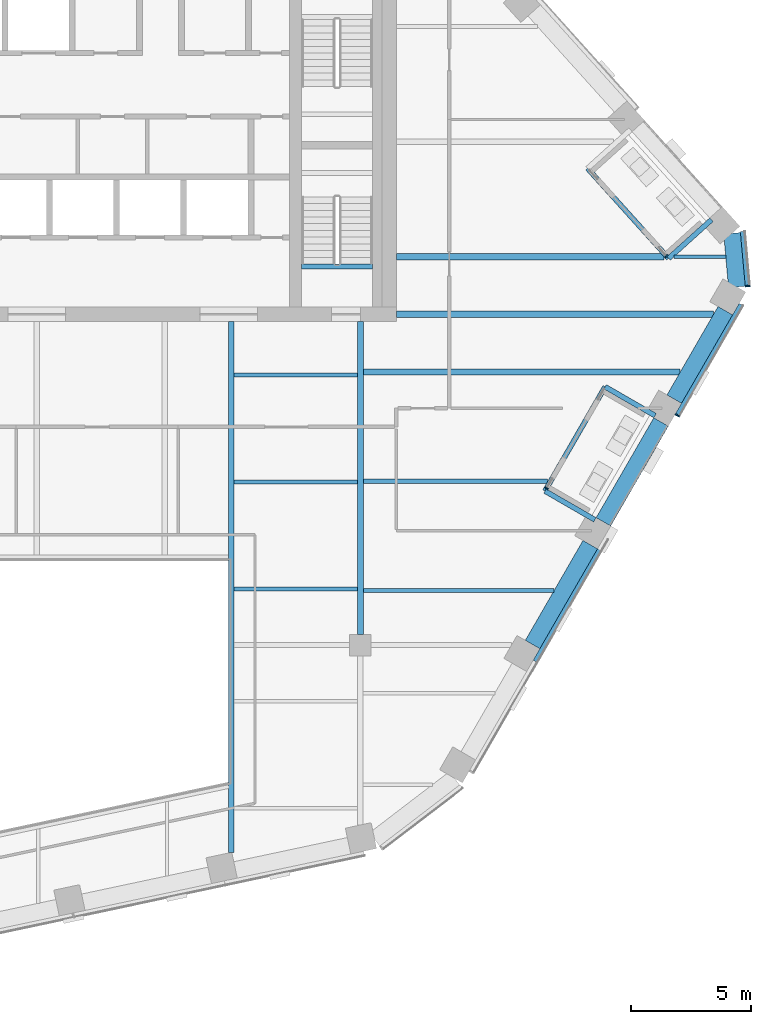
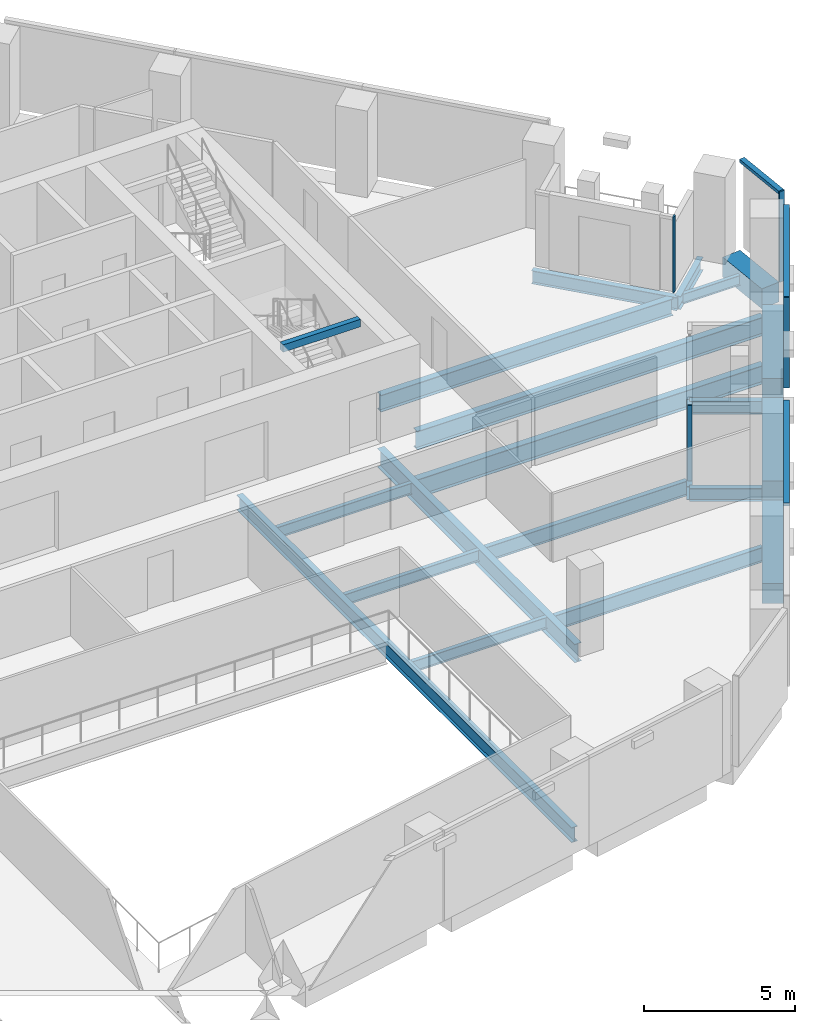
# One storey, part 6 of 25: 21 beams, 7 members, 4 elements without a shape of their own.
"""IFC4 building model written with IfcOpenShell, lengths in metres."""

import ifcopenshell
import ifcopenshell.guid

model = None  # the IFC model being written
_history = None  # IfcOwnerHistory: only IFC2X3 demands one
_inside = {}  # id of a spatial element -> (the spatial element, [elements in it])
_under = {}  # id of a project, library or spatial element -> (it, [spatial elements below it])
_declared = {}  # id of a project -> (the project, [libraries it declares])
_typed = {}  # id of a type object -> (the type object, [elements of that type])
_made_of = {}  # id of a material, layer set ... -> (it, [elements and type objects made of it])


def new_model(schema):
    """Start an empty IFC model of exactly this schema.

    Asked for "IFC4X3", IfcOpenShell would pick the latest addendum, in which some entities
    have other attributes; the version numbers below select the first issue.
    IFC2X3 requires an IfcOwnerHistory on every rooted entity: one is made here for all.
    """
    global model, _history
    if schema == "IFC4X3":
        model = ifcopenshell.file(schema_version=(4, 3, 0, 0))
    else:
        model = ifcopenshell.file(schema=schema)
    _inside.clear()
    _under.clear()
    _declared.clear()
    _typed.clear()
    _made_of.clear()
    _history = None
    if model.schema == "IFC2X3":
        org = make("IfcOrganization", Name="unknown")
        user = make(
            "IfcPersonAndOrganization",
            ThePerson=make("IfcPerson", FamilyName="unknown"),
            TheOrganization=org,
        )
        app = make(
            "IfcApplication",
            ApplicationDeveloper=org,
            Version="unknown",
            ApplicationFullName="unknown",
            ApplicationIdentifier="unknown",
        )
        _history = make(
            "IfcOwnerHistory",
            OwningUser=user,
            OwningApplication=app,
            ChangeAction="ADDED",
            CreationDate=0,
        )
    return model


def make(cls, **values):
    """One entity of the class cls with the attributes given. An attribute that is None is left unset."""
    return model.create_entity(
        cls, **{name: value for name, value in values.items() if value is not None}
    )


def rooted(cls, **values):
    """An entity with a GlobalId (a new one), such as an element, a storey or a relation."""
    return make(cls, GlobalId=ifcopenshell.guid.new(), OwnerHistory=_history, **values)


def si_unit(unit_type, name, prefix=None):
    """IfcSIUnit, for example si_unit("LENGTHUNIT", "METRE", prefix="MILLI")."""
    return make("IfcSIUnit", UnitType=unit_type, Prefix=prefix, Name=name)


def assignment(units):
    """IfcUnitAssignment: the units of a project."""
    return None if units is None else make("IfcUnitAssignment", Units=units)


def point(xyz):
    """IfcCartesianPoint."""
    return None if xyz is None else make("IfcCartesianPoint", Coordinates=xyz)


def direction(xyz):
    """IfcDirection."""
    return None if xyz is None else make("IfcDirection", DirectionRatios=xyz)


def frame(location, z_axis=None, x_axis=None):
    """IfcAxis2Placement3D, a coordinate frame: its origin and axes. An axis left out is left unset."""
    return make(
        "IfcAxis2Placement3D",
        Location=point(location),
        Axis=direction(z_axis),
        RefDirection=direction(x_axis),
    )


def frame_2d(location, x_axis=None):
    """IfcAxis2Placement2D, a coordinate frame in the plane: its origin and x axis."""
    return make(
        "IfcAxis2Placement2D", Location=point(location), RefDirection=direction(x_axis)
    )


def origin():
    """The frame at (0, 0, 0) with its axes left unset."""
    return frame((0.0, 0.0, 0.0))


def origin_2d():
    """The frame at (0, 0) in the plane with its x axis left unset."""
    return frame_2d((0.0, 0.0))


def place(relative_to, where):
    """IfcLocalPlacement: puts the frame where relative to a parent placement (None: the world)."""
    return make(
        "IfcLocalPlacement", PlacementRelTo=relative_to, RelativePlacement=where
    )


def context(
    kind, dimensions, precision=None, world=None, true_north=None, identifier=None
):
    """IfcGeometricRepresentationContext, for example the 3D "Model" context."""
    return make(
        "IfcGeometricRepresentationContext",
        ContextIdentifier=identifier,
        ContextType=kind,
        CoordinateSpaceDimension=dimensions,
        Precision=precision,
        WorldCoordinateSystem=world,
        TrueNorth=true_north,
    )


def subcontext(parent, identifier, kind, view, scale=None):
    """IfcGeometricRepresentationSubContext, for example "Body" below "Model"."""
    return make(
        "IfcGeometricRepresentationSubContext",
        ContextIdentifier=identifier,
        ContextType=kind,
        ParentContext=parent,
        TargetScale=scale,
        TargetView=view,
    )


def project(units=None, contexts=None):
    """IfcProject with its units and contexts."""
    return rooted(
        "IfcProject",
        Name="project",
        RepresentationContexts=contexts,
        UnitsInContext=assignment(units),
    )


def spatial(cls, under=None, at=None, **own):
    """A site, building, storey or space (cls), placed at a placement, below another one or the project."""
    s = rooted(cls, ObjectPlacement=at, **own)
    if under is not None:
        _under.setdefault(under.id(), (under, []))[1].append(s)
    return s


def profile(cls, at=None, kind="AREA", **sizes):
    """A parametric profile (cls). Its sizes go by their IFC names, for example OverallWidth=200.0."""
    return make(cls, ProfileType=kind, Position=at, **sizes)


def rectangle(**sizes):
    """IfcRectangleProfileDef."""
    return profile("IfcRectangleProfileDef", **sizes)


def i_section(**sizes):
    """IfcIShapeProfileDef."""
    return profile("IfcIShapeProfileDef", **sizes)


def extrude(swept, where, along, depth):
    """IfcExtrudedAreaSolid: the profile swept, set in the frame where, extruded along a direction by depth."""
    return make(
        "IfcExtrudedAreaSolid",
        SweptArea=swept,
        Position=where,
        ExtrudedDirection=direction(along),
        Depth=depth,
    )


def shape(context_of_items, identifier, shape_type, items):
    """IfcShapeRepresentation: the items that make up one representation, for example the "Body"."""
    return make(
        "IfcShapeRepresentation",
        ContextOfItems=context_of_items,
        RepresentationIdentifier=identifier,
        RepresentationType=shape_type,
        Items=items,
    )


def material(Name=None, Category=None):
    """IfcMaterial."""
    return make("IfcMaterial", Name=Name, Category=Category)


def layer(
    of_material, thickness, ventilated=None, Name=None, Category=None, Priority=None
):
    """IfcMaterialLayer: one layer of a wall or slab, of a material (None: an air gap)."""
    return make(
        "IfcMaterialLayer",
        Material=of_material,
        LayerThickness=thickness,
        IsVentilated=ventilated,
        Name=Name,
        Category=Category,
        Priority=Priority,
    )


def layer_set(layers, Name=None):
    """IfcMaterialLayerSet."""
    return make("IfcMaterialLayerSet", MaterialLayers=layers, LayerSetName=Name)


def material_profile(
    of_material, cross_section, Name=None, Category=None, Priority=None
):
    """IfcMaterialProfile: a cross section and its material."""
    return make(
        "IfcMaterialProfile",
        Name=Name,
        Material=of_material,
        Profile=cross_section,
        Priority=Priority,
        Category=Category,
    )


def profile_set(profiles, Name=None, composite=None):
    """IfcMaterialProfileSet."""
    return make(
        "IfcMaterialProfileSet",
        Name=Name,
        MaterialProfiles=profiles,
        CompositeProfile=composite,
    )


def made_of(thing, what):
    """Note that an element or type object is made of a material, layer set ...; save() writes the relation."""
    if what is not None:
        _made_of.setdefault(what.id(), (what, []))[1].append(thing)
    return thing


def type_object(cls, material=None, **own):
    """A type object (cls), such as IfcWallType, which elements share."""
    return made_of(rooted(cls, **own), material)


def element(
    cls,
    number,
    at=None,
    inside=None,
    cuts=None,
    type_object=None,
    material=None,
    context=None,
    identifier="Body",
    shape_type=None,
    held_by="IfcProductDefinitionShape",
    body=None,
    shapes=None,
    **own,
):
    """One element of the class cls, such as IfcWall. Its Tag is "e" and its number.

    at: its placement. inside: the storey or other place that contains it. cuts: it is an
    opening in that element (IfcRelVoidsElement). A single representation is given by context,
    identifier, shape_type and body (its items); several are given by shapes. held_by: the class
    of the entity that holds the representations. save() writes the other relations.
    """
    e = rooted(cls, Tag="e%d" % number, ObjectPlacement=at, **own)
    if body is not None:
        shapes = [shape(context, identifier, shape_type, body)]
    if shapes is not None:
        e.Representation = make(held_by, Representations=shapes)
    if inside is not None:
        _inside.setdefault(inside.id(), (inside, []))[1].append(e)
    if cuts is not None:
        rooted(
            "IfcRelVoidsElement", RelatingBuildingElement=cuts, RelatedOpeningElement=e
        )
    if type_object is not None:
        _typed.setdefault(type_object.id(), (type_object, []))[1].append(e)
    return made_of(e, material)


def aggregate(whole, parts):
    """IfcRelAggregates: a whole, such as a stair, and the parts it consists of."""
    return rooted("IfcRelAggregates", RelatingObject=whole, RelatedObjects=parts)


def save(model, path):
    """Write the relations noted so far, then the file.

    IfcRelAggregates (storeys below a building ...), IfcRelContainedInSpatialStructure (elements
    in a storey), IfcRelDefinesByType, IfcRelAssociatesMaterial and IfcRelDeclares: one each for
    every whole, place, type object, material and project.
    """
    for whole, parts in _under.values():
        aggregate(whole, parts)
    for where, things in _inside.values():
        rooted(
            "IfcRelContainedInSpatialStructure",
            RelatedElements=things,
            RelatingStructure=where,
        )
    for kind, things in _typed.values():
        rooted("IfcRelDefinesByType", RelatedObjects=things, RelatingType=kind)
    for what, things in _made_of.values():
        rooted("IfcRelAssociatesMaterial", RelatedObjects=things, RelatingMaterial=what)
    for by, libraries in _declared.values():
        rooted("IfcRelDeclares", RelatingContext=by, RelatedDefinitions=libraries)
    model.write(path)


model = new_model("IFC4")

# Units and contexts
model_context = context("Model", 3, precision=1e-05, world=origin(), true_north=direction((0.0, 1.0)))
body_context = subcontext(model_context, "Body", "Model", "MODEL_VIEW")
ifc_project = project(units=[si_unit("LENGTHUNIT", "METRE"), si_unit("AREAUNIT", "SQUARE_METRE"), si_unit("VOLUMEUNIT", "CUBIC_METRE"), si_unit("PLANEANGLEUNIT", "RADIAN"), si_unit("MASSUNIT", "GRAM", prefix="KILO")], contexts=[model_context])

# Site, building, storey
site_placement = place(None, origin())
site = spatial("IfcSite", under=ifc_project, at=site_placement, CompositionType="ELEMENT")
building_placement = place(site_placement, origin())
building = spatial("IfcBuilding", under=site, at=building_placement, Name="Isthmus Gate Tower", CompositionType="ELEMENT")
storey_placement = place(building_placement, frame((0.0, 0.0, 249.14990234375)))
storey = spatial("IfcBuildingStorey", under=building, at=storey_placement, Name="L63", CompositionType="ELEMENT", Elevation=249.14990234375)

# Curtain wall, member
ifc_material_1 = material(Name="Aluminium, pale champagne anodised", Category="aluminium")
ifc_layer_1 = layer(ifc_material_1, 0.199951171875)
ifc_layer_set_1 = layer_set([ifc_layer_1], Name="CW-1 UNITISED CURTAIN WALL 200 DEEP")
curtain_wall_type_1 = type_object("IfcCurtainWallType", Name="CW-1 UNITISED CURTAIN WALL 200 DEEP", PredefinedType="NOTDEFINED", material=ifc_layer_set_1)
curtain_wall_1_placement = place(storey_placement, origin())
curtain_wall_1 = element("IfcCurtainWall", 1, at=curtain_wall_1_placement, inside=storey, type_object=curtain_wall_type_1, Name="CW-1 SE L63", PredefinedType="NOTDEFINED")
ifc_material_2 = material(Name="Aluminium, pale champagne anodised", Category="aluminium")
ifc_material_profile_1 = material_profile(ifc_material_2, rectangle(XDim=0.06005859375, YDim=0.199951171875, at=origin_2d()), Name="60x200")
ifc_profile_set_1 = profile_set([ifc_material_profile_1], Name="Aluminium, pale champagne anodised")
member_type_1 = type_object("IfcMemberType", Name="CW-1 MULLION 60 X 200", PredefinedType="MULLION", material=ifc_profile_set_1)
member_1_placement = place(storey_placement, frame((26.72265625, -3.9150390625, 0.0), z_axis=(0.0, 0.0, 1.0), x_axis=(0.5, 0.866025403784, 0.0)))
member_1 = element("IfcMember", 2, at=member_1_placement, type_object=member_type_1, Name="CW-1 mullion", PredefinedType="MULLION", context=body_context, shape_type="SweptSolid", body=[
    extrude(rectangle(XDim=0.06005859375, YDim=0.199951171875, at=origin_2d()), origin(), (0.0, 0.0, 1.0), 3.650146484375),
])

curtain_wall_2_placement = place(storey_placement, origin())
curtain_wall_2 = element("IfcCurtainWall", 3, at=curtain_wall_2_placement, inside=storey, type_object=curtain_wall_type_1, Name="CW-1 SE-NE L63", PredefinedType="NOTDEFINED")
member_2_placement = place(storey_placement, frame((29.654296875, 1.4765625, 0.0), z_axis=(0.0, 0.0, 1.0), x_axis=(-0.089396669717, 0.995996102123, 0.0)))
member_2 = element("IfcMember", 4, at=member_2_placement, type_object=member_type_1, Name="CW-1 mullion", PredefinedType="MULLION", context=body_context, shape_type="SweptSolid", body=[
    extrude(rectangle(XDim=0.06005859375, YDim=0.199951171875, at=origin_2d()), origin(), (0.0, 0.0, 1.0), 3.650146484375),
])

# Member
ifc_material_3 = material(Name="Aluminium, pale champagne anodised", Category="aluminium")
ifc_material_profile_2 = material_profile(ifc_material_3, rectangle(XDim=0.199951171875, YDim=0.1298828125, at=origin_2d()), Name="200x130")
ifc_profile_set_2 = profile_set([ifc_material_profile_2], Name="Aluminium, pale champagne anodised")
member_type_2 = type_object("IfcMemberType", Name="CW-1 TRANSOM 200 X 130", PredefinedType="USERDEFINED", material=ifc_profile_set_2)
member_3_placement = place(storey_placement, frame((20.796875, -14.178466796875, 3.585205078125), z_axis=(0.500008496284, 0.866020498397, 0.0), x_axis=(-0.866020498397, 0.500008496284, 0.0)))
member_3 = element("IfcMember", 5, at=member_3_placement, type_object=member_type_2, Name="CW-1 transom", ObjectType="TRANSOM", PredefinedType="USERDEFINED", context=body_context, shape_type="SweptSolid", body=[
    extrude(rectangle(XDim=0.199951171875, YDim=0.1298828125, at=origin_2d()), origin(), (0.0, 0.0, 1.0), 5.91064453125),
])

member_4_placement = place(storey_placement, frame((26.737548828125, -3.88916015625, 3.585205078125), z_axis=(0.500022807565, 0.86601223543, 0.0), x_axis=(-0.86601223543, 0.500022807565, 0.0)))
member_4 = element("IfcMember", 6, at=member_4_placement, type_object=member_type_2, Name="CW-1 transom", ObjectType="TRANSOM", PredefinedType="USERDEFINED", context=body_context, shape_type="SweptSolid", body=[
    extrude(rectangle(XDim=0.199951171875, YDim=0.1298828125, at=origin_2d()), origin(), (0.0, 0.0, 1.0), 5.300537109375),
])

aggregate(curtain_wall_1, [member_3, member_1, member_4])

member_5_placement = place(storey_placement, frame((29.651611328125, 1.506591796875, 3.585205078125), z_axis=(-0.089395362867, 0.995996219419, 0.0), x_axis=(-0.995996219419, -0.089395362867, 0.0)))
member_5 = element("IfcMember", 7, at=member_5_placement, type_object=member_type_2, Name="CW-1 transom", ObjectType="TRANSOM", PredefinedType="USERDEFINED", context=body_context, shape_type="SweptSolid", body=[
    extrude(rectangle(XDim=0.199951171875, YDim=0.1298828125, at=origin_2d()), origin(), (0.0, 0.0, 1.0), 2.258544921875),
])

aggregate(curtain_wall_2, [member_2, member_5])

# Curtain wall, member
ifc_material_4 = material(Name="Aluminium, pale champagne anodised", Category="aluminium")
ifc_layer_2 = layer(ifc_material_4, 0.14990234375)
ifc_layer_set_2 = layer_set([ifc_layer_2], Name="CW-6 LOGGIA BACK WALL GLAZING 150 DEEP")
curtain_wall_type_2 = type_object("IfcCurtainWallType", Name="CW-6 LOGGIA BACK WALL GLAZING 150 DEEP", PredefinedType="NOTDEFINED", material=ifc_layer_set_2)
curtain_wall_3_placement = place(storey_placement, origin())
curtain_wall_3 = element("IfcCurtainWall", 8, at=curtain_wall_3_placement, inside=storey, type_object=curtain_wall_type_2, Name="CW-6 SE L63", PredefinedType="NOTDEFINED")
ifc_material_5 = material(Name="Aluminium, pale champagne anodised", Category="aluminium")
ifc_material_profile_3 = material_profile(ifc_material_5, rectangle(XDim=0.06005859375, YDim=0.14990234375, at=origin_2d()), Name="60x150")
ifc_profile_set_3 = profile_set([ifc_material_profile_3], Name="Aluminium, pale champagne anodised")
member_type_3 = type_object("IfcMemberType", Name="CW-6 MULLION 60 X 150", PredefinedType="MULLION", material=ifc_profile_set_3)
member_6_placement = place(storey_placement, frame((21.27099609375, -6.95751953125, 0.0), z_axis=(0.0, 0.0, 1.0), x_axis=(0.5, 0.866025403784, 0.0)))
member_6 = element("IfcMember", 9, at=member_6_placement, type_object=member_type_3, Name="CW-6 mullion", PredefinedType="MULLION", context=body_context, shape_type="SweptSolid", body=[
    extrude(rectangle(XDim=0.06005859375, YDim=0.14990234375, at=origin_2d()), origin(), (0.0, 0.0, 1.0), 3.050048828125),
])
aggregate(curtain_wall_3, [member_6])

curtain_wall_4_placement = place(storey_placement, origin())
curtain_wall_4 = element("IfcCurtainWall", 10, at=curtain_wall_4_placement, inside=storey, type_object=curtain_wall_type_2, Name="CW-6 NE L63", PredefinedType="NOTDEFINED")
member_7_placement = place(storey_placement, frame((26.270263671875, 2.736572265625, 0.0), z_axis=(0.0, 0.0, 1.0), x_axis=(-0.669130606359, 0.743144825477, 0.0)))
member_7 = element("IfcMember", 11, at=member_7_placement, type_object=member_type_3, Name="CW-6 mullion", PredefinedType="MULLION", context=body_context, shape_type="SweptSolid", body=[
    extrude(rectangle(XDim=0.06005859375, YDim=0.14990234375, at=origin_2d()), origin(), (0.0, 0.0, 1.0), 3.050048828125),
])
aggregate(curtain_wall_4, [member_7])

# Beams
ifc_material_6 = material(Name="Concrete f'c 50 MPa", Category="concrete")
ifc_material_profile_4 = material_profile(ifc_material_6, rectangle(XDim=0.699951171875, YDim=0.800048828125, at=origin_2d()), Name="RC 700X800")
ifc_profile_set_4 = profile_set([ifc_material_profile_4], Name="Concrete f'c 50 MPa")
beam_type_1 = type_object("IfcBeamType", Name="RC SPANDREL 700 X 800", PredefinedType="SPANDREL", material=ifc_profile_set_4)
beam_1_placement = place(storey_placement, frame((29.0048828125, 3.678466796875, -0.39990234375), z_axis=(0.089359478208, -0.995999439585, 0.0), x_axis=(0.995999439585, 0.089359478208, 0.0)))
element("IfcBeam", 12, at=beam_1_placement, inside=storey, type_object=beam_type_1, Name="str-spandrel-L63-05", PredefinedType="SPANDREL", context=body_context, shape_type="SweptSolid", body=[
    extrude(rectangle(XDim=0.699951171875, YDim=0.800048828125, at=origin_2d()), origin(), (0.0, 0.0, 1.0), 2.245849609375),
])
beam_2_placement = place(storey_placement, frame((28.72314453125, 0.449951171875, -0.39990234375), z_axis=(-0.500021719575, -0.866012863619, 0.0), x_axis=(0.866012863619, -0.500021719575, 0.0)))
element("IfcBeam", 13, at=beam_2_placement, inside=storey, type_object=beam_type_1, Name="str-spandrel-L63-06", PredefinedType="SPANDREL", context=body_context, shape_type="SweptSolid", body=[
    extrude(rectangle(XDim=0.699951171875, YDim=0.800048828125, at=origin_2d()), origin(), (0.0, 0.0, 1.0), 4.260498046875),
])
for number, where, z_axis, x_axis, name in (
    (14, (26.04296875, -4.1923828125, -0.39990234375), (-0.500019702373, -0.866014028315, 0.0), (0.866014028315, -0.500019702373, 0.0), "str-spandrel-L63-07"),
    (15, (23.087646484375, -9.31103515625, -0.39990234375), (-0.49998164095, -0.866036003127, 0.0), (0.866036003127, -0.49998164095, 0.0), "str-spandrel-L63-08"),
):
    element("IfcBeam", number, at=place(storey_placement, frame(where, z_axis=z_axis, x_axis=x_axis)), inside=storey, type_object=beam_type_1, Name=name, PredefinedType="SPANDREL", context=body_context, shape_type="SweptSolid", body=[
        extrude(rectangle(XDim=0.699951171875, YDim=0.800048828125, at=origin_2d()), origin(), (0.0, 0.0, 1.0), 4.810791015625),
    ])
ifc_material_7 = material(Name="Concrete f'c 40 MPa", Category="concrete")
ifc_material_profile_5 = material_profile(ifc_material_7, rectangle(XDim=0.199951171875, YDim=0.300048828125, at=origin_2d()), Name="STAIR LANDING BEAM RC 200 X 300")
ifc_profile_set_5 = profile_set([ifc_material_profile_5], Name="Concrete f'c 40 MPa")
beam_type_2 = type_object("IfcBeamType", Name="STAIR LANDING BEAM RC 200 X 300", PredefinedType="BEAM", material=ifc_profile_set_5)
beam_3_placement = place(storey_placement, frame((11.050048828125, 2.2998046875, 3.35009765625), z_axis=(1.0, 0.0, 0.0), x_axis=(0.0, 1.0, 0.0)))
element("IfcBeam", 16, at=beam_3_placement, inside=storey, type_object=beam_type_2, Name="L63 ST8 floor-edge seat beam", PredefinedType="BEAM", context=body_context, shape_type="SweptSolid", body=[
    extrude(rectangle(XDim=0.199951171875, YDim=0.300048828125, at=origin_2d()), origin(), (0.0, 0.0, 1.0), 2.949951171875),
])
ifc_material_8 = material(Name="Structural steel ASTM A992 Gr 50", Category="steel")
ifc_material_profile_6 = material_profile(ifc_material_8, i_section(OverallWidth=0.1396484375, OverallDepth=0.4033203125, WebThickness=0.00634765625, FlangeThickness=0.010986328125, at=origin_2d()), Name="W16X31")
ifc_profile_set_6 = profile_set([ifc_material_profile_6], Name="Structural steel ASTM A992 Gr 50")
beam_type_3 = type_object("IfcBeamType", Name="STEEL FLOOR BEAM W16X31", PredefinedType="JOIST", material=ifc_profile_set_6)
beam_4_placement = place(storey_placement, frame((26.58740234375, 2.699951171875, -0.3515625), z_axis=(1.0, 0.0, 0.0), x_axis=(0.0, 1.0, 0.0)))
element("IfcBeam", 17, at=beam_4_placement, inside=storey, type_object=beam_type_3, Name="str-beam-L63-16-01", PredefinedType="JOIST", context=body_context, shape_type="SweptSolid", body=[
    extrude(i_section(OverallWidth=0.1396484375, OverallDepth=0.4033203125, WebThickness=0.00634765625, FlangeThickness=0.010986328125, at=origin_2d()), origin(), (0.0, 0.0, 1.0), 2.15380859375),
])
ifc_material_9 = material(Name="Structural steel ASTM A992 Gr 50", Category="steel")
ifc_material_profile_7 = material_profile(ifc_material_9, i_section(OverallWidth=0.15234375, OverallDepth=0.45068359375, WebThickness=0.0078125, FlangeThickness=0.010986328125, at=origin_2d()), Name="W18X35")
ifc_profile_set_7 = profile_set([ifc_material_profile_7], Name="Structural steel ASTM A992 Gr 50")
beam_type_4 = type_object("IfcBeamType", Name="STEEL FLOOR BEAM W18X35", PredefinedType="JOIST", material=ifc_profile_set_7)
for number, where, z_axis, x_axis, name in (
    (18, (8.228515625, -11.16259765625, -0.375244140625), (1.0, 0.0, 0.0), (0.0, 1.0, 0.0), "str-beam-L63-13-00"),
    (19, (8.228515625, -6.697509765625, -0.375244140625), (1.0, 0.0, 0.0), (0.0, 1.0, 0.0), "str-beam-L63-13-01"),
    (20, (8.228515625, -2.232421875, -0.375244140625), (1.0, 0.0, 0.0), (0.0, 1.0, 0.0), "str-beam-L63-13-02"),
):
    element("IfcBeam", number, at=place(storey_placement, frame(where, z_axis=z_axis, x_axis=x_axis)), inside=storey, type_object=beam_type_4, Name=name, PredefinedType="JOIST", context=body_context, shape_type="SweptSolid", body=[
        extrude(i_section(OverallWidth=0.15234375, OverallDepth=0.45068359375, WebThickness=0.0078125, FlangeThickness=0.010986328125, at=origin_2d()), origin(), (0.0, 0.0, 1.0), 5.1396484375),
    ])
ifc_material_10 = material(Name="Structural steel ASTM A992 Gr 50", Category="steel")
ifc_material_profile_8 = material_profile(ifc_material_10, i_section(OverallWidth=0.177734375, OverallDepth=0.60009765625, WebThickness=0.009521484375, FlangeThickness=0.0126953125, at=origin_2d()), Name="W24X55")
ifc_profile_set_8 = profile_set([ifc_material_profile_8], Name="Structural steel ASTM A992 Gr 50")
beam_type_5 = type_object("IfcBeamType", Name="STEEL FLOOR BEAM W24X55", PredefinedType="JOIST", material=ifc_profile_set_8)
beam_5_placement = place(storey_placement, frame((13.6318359375, -11.221923828125, -0.449951171875), z_axis=(1.0, 0.0, 0.0), x_axis=(0.0, 1.0, 0.0)))
element("IfcBeam", 21, at=beam_5_placement, inside=storey, type_object=beam_type_5, Name="str-beam-L63-15-00", PredefinedType="JOIST", context=body_context, shape_type="SweptSolid", body=[
    extrude(i_section(OverallWidth=0.177734375, OverallDepth=0.60009765625, WebThickness=0.009521484375, FlangeThickness=0.0126953125, at=origin_2d()), origin(), (0.0, 0.0, 1.0), 7.948486328125),
])
beam_6_placement = place(storey_placement, frame((13.6318359375, -6.665771484375, -0.449951171875), z_axis=(1.0, 0.0, 0.0), x_axis=(0.0, 1.0, 0.0)))
element("IfcBeam", 22, at=beam_6_placement, inside=storey, type_object=beam_type_5, Name="str-beam-L63-15-01", PredefinedType="JOIST", context=body_context, shape_type="SweptSolid", body=[
    extrude(i_section(OverallWidth=0.177734375, OverallDepth=0.60009765625, WebThickness=0.009521484375, FlangeThickness=0.0126953125, at=origin_2d()), origin(), (0.0, 0.0, 1.0), 7.68115234375),
])
ifc_material_11 = material(Name="Structural steel ASTM A992 Gr 50", Category="steel")
ifc_material_profile_9 = material_profile(ifc_material_11, i_section(OverallWidth=0.25390625, OverallDepth=0.679443359375, WebThickness=0.010986328125, FlangeThickness=0.015869140625, at=origin_2d()), Name="W27X84")
ifc_profile_set_9 = profile_set([ifc_material_profile_9], Name="Structural steel ASTM A992 Gr 50")
beam_type_6 = type_object("IfcBeamType", Name="STEEL FLOOR BEAM W27X84", PredefinedType="JOIST", material=ifc_profile_set_9)
beam_7_placement = place(storey_placement, frame((15.0, 2.699951171875, -0.489501953125), z_axis=(1.0, 0.0, 0.0), x_axis=(0.0, 1.0, 0.0)))
element("IfcBeam", 23, at=beam_7_placement, inside=storey, type_object=beam_type_6, Name="str-beam-L63-16-00", PredefinedType="JOIST", context=body_context, shape_type="SweptSolid", body=[
    extrude(i_section(OverallWidth=0.25390625, OverallDepth=0.679443359375, WebThickness=0.010986328125, FlangeThickness=0.015869140625, at=origin_2d()), origin(), (0.0, 0.0, 1.0), 11.15576171875),
])
ifc_material_12 = material(Name="Structural steel ASTM A992 Gr 50", Category="steel")
ifc_material_profile_10 = material_profile(ifc_material_12, i_section(OverallWidth=0.263427734375, OverallDepth=0.749267578125, WebThickness=0.0126953125, FlangeThickness=0.015869140625, at=origin_2d()), Name="W30X90")
ifc_profile_set_10 = profile_set([ifc_material_profile_10], Name="Structural steel ASTM A992 Gr 50")
beam_type_7 = type_object("IfcBeamType", Name="STEEL FLOOR BEAM W30X90", PredefinedType="JOIST", material=ifc_profile_set_10)
beam_8_placement = place(storey_placement, frame((13.6318359375, -2.10986328125, -0.524658203125), z_axis=(1.0, 0.0, 0.0), x_axis=(0.0, 1.0, 0.0)))
element("IfcBeam", 24, at=beam_8_placement, inside=storey, type_object=beam_type_7, Name="str-beam-L63-15-02", PredefinedType="JOIST", context=body_context, shape_type="SweptSolid", body=[
    extrude(i_section(OverallWidth=0.263427734375, OverallDepth=0.749267578125, WebThickness=0.0126953125, FlangeThickness=0.015869140625, at=origin_2d()), origin(), (0.0, 0.0, 1.0), 13.209228515625),
])
ifc_material_13 = material(Name="Structural steel ASTM A992 Gr 50", Category="steel")
ifc_material_profile_11 = material_profile(ifc_material_13, i_section(OverallWidth=0.263427734375, OverallDepth=0.749267578125, WebThickness=0.0126953125, FlangeThickness=0.015869140625, at=origin_2d()), Name="W30X90")
ifc_profile_set_11 = profile_set([ifc_material_profile_11], Name="Structural steel ASTM A992 Gr 50")
beam_type_8 = type_object("IfcBeamType", Name="STEEL GIRDER W30X90", PredefinedType="BEAM", material=ifc_profile_set_11)
beam_9_placement = place(storey_placement, frame((13.5, -13.050048828125, -0.524658203125), z_axis=(0.0, 1.0, 0.0), x_axis=(-1.0, 0.0, 0.0)))
element("IfcBeam", 25, at=beam_9_placement, inside=storey, type_object=beam_type_8, Name="str-girder-L63-08", PredefinedType="BEAM", context=body_context, shape_type="SweptSolid", body=[
    extrude(i_section(OverallWidth=0.263427734375, OverallDepth=0.749267578125, WebThickness=0.0126953125, FlangeThickness=0.015869140625, at=origin_2d()), origin(), (0.0, 0.0, 1.0), 13.050048828125),
])
beam_10_placement = place(storey_placement, frame((15.0, 0.300048828125, -0.524658203125), z_axis=(1.0, 0.0, 0.0), x_axis=(0.0, 1.0, 0.0)))
element("IfcBeam", 26, at=beam_10_placement, inside=storey, type_object=beam_type_8, Name="str-girder-L63-10", PredefinedType="BEAM", context=body_context, shape_type="SweptSolid", body=[
    extrude(i_section(OverallWidth=0.263427734375, OverallDepth=0.749267578125, WebThickness=0.0126953125, FlangeThickness=0.015869140625, at=origin_2d()), origin(), (0.0, 0.0, 1.0), 13.232421875),
])
ifc_material_14 = material(Name="Structural steel ASTM A992 Gr 50", Category="steel")
ifc_material_profile_12 = material_profile(ifc_material_14, i_section(OverallWidth=0.20947265625, OverallDepth=0.533447265625, WebThickness=0.009521484375, FlangeThickness=0.015869140625, at=origin_2d()), Name="W21X62")
ifc_profile_set_12 = profile_set([ifc_material_profile_12], Name="Structural steel ASTM A992 Gr 50")
beam_type_9 = type_object("IfcBeamType", Name="STEEL TRIMMER W21X62", PredefinedType="BEAM", material=ifc_profile_set_12)
beam_11_placement = place(storey_placement, frame((21.199462890625, -7.07177734375, -0.41650390625), z_axis=(0.50000451406, 0.866022797575, 0.0), x_axis=(-0.866022797575, 0.50000451406, 0.0)))
element("IfcBeam", 27, at=beam_11_placement, inside=storey, type_object=beam_type_9, Name="str-loggiatrim-L63-04-B", PredefinedType="BEAM", context=body_context, shape_type="SweptSolid", body=[
    extrude(i_section(OverallWidth=0.20947265625, OverallDepth=0.533447265625, WebThickness=0.009521484375, FlangeThickness=0.015869140625, at=origin_2d()), origin(), (0.0, 0.0, 1.0), 5.02001953125),
])
beam_12_placement = place(storey_placement, frame((23.281982421875, -8.274169921875, -0.41650390625), z_axis=(-0.866016514357, 0.500015396624, 0.0), x_axis=(-0.500015396624, -0.866016514357, 0.0)))
element("IfcBeam", 28, at=beam_12_placement, inside=storey, type_object=beam_type_9, Name="str-loggiatrim-L63-04-A", PredefinedType="BEAM", context=body_context, shape_type="SweptSolid", body=[
    extrude(i_section(OverallWidth=0.20947265625, OverallDepth=0.533447265625, WebThickness=0.009521484375, FlangeThickness=0.015869140625, at=origin_2d()), origin(), (0.0, 0.0, 1.0), 2.40478515625),
])
beam_13_placement = place(storey_placement, frame((25.792236328125, -3.9267578125, -0.41650390625), z_axis=(-0.866041894065, 0.499971436909, 0.0), x_axis=(-0.499971436909, -0.866041894065, 0.0)))
element("IfcBeam", 29, at=beam_13_placement, inside=storey, type_object=beam_type_9, Name="str-loggiatrim-L63-04-C", PredefinedType="BEAM", context=body_context, shape_type="SweptSolid", body=[
    extrude(i_section(OverallWidth=0.20947265625, OverallDepth=0.533447265625, WebThickness=0.009521484375, FlangeThickness=0.015869140625, at=origin_2d()), origin(), (0.0, 0.0, 1.0), 2.405029296875),
])
beam_14_placement = place(storey_placement, frame((26.356689453125, 2.63330078125, -0.41650390625), z_axis=(-0.669114254906, 0.743159548066, 0.0), x_axis=(-0.743159548066, -0.669114254906, 0.0)))
element("IfcBeam", 30, at=beam_14_placement, inside=storey, type_object=beam_type_9, Name="str-loggiatrim-L63-05-B", PredefinedType="BEAM", context=body_context, shape_type="SweptSolid", body=[
    extrude(i_section(OverallWidth=0.20947265625, OverallDepth=0.533447265625, WebThickness=0.009521484375, FlangeThickness=0.015869140625, at=origin_2d()), origin(), (0.0, 0.0, 1.0), 5.05126953125),
])
beam_15_placement = place(storey_placement, frame((28.143798828125, 4.242431640625, -0.41650390625), z_axis=(-0.743142685208, -0.669132983361, 0.0), x_axis=(0.669132983361, -0.743142685208, 0.0)))
element("IfcBeam", 31, at=beam_15_placement, inside=storey, type_object=beam_type_9, Name="str-loggiatrim-L63-05-A", PredefinedType="BEAM", context=body_context, shape_type="SweptSolid", body=[
    extrude(i_section(OverallWidth=0.20947265625, OverallDepth=0.533447265625, WebThickness=0.009521484375, FlangeThickness=0.015869140625, at=origin_2d()), origin(), (0.0, 0.0, 1.0), 2.40478515625),
])
ifc_material_15 = material(Name="Structural steel ASTM A992 Gr 50", Category="steel")
ifc_material_profile_13 = material_profile(ifc_material_15, i_section(OverallWidth=0.228515625, OverallDepth=0.6064453125, WebThickness=0.010986328125, FlangeThickness=0.017578125, at=origin_2d()), Name="W24X76")
ifc_profile_set_13 = profile_set([ifc_material_profile_13], Name="Structural steel ASTM A992 Gr 50")
beam_type_10 = type_object("IfcBeamType", Name="STEEL TRIMMER W24X76", PredefinedType="BEAM", material=ifc_profile_set_13)
beam_16_placement = place(storey_placement, frame((8.1142578125, -22.150634765625, -0.453125), z_axis=(0.0, 1.0, 0.0), x_axis=(-1.0, 0.0, 0.0)))
element("IfcBeam", 32, at=beam_16_placement, inside=storey, type_object=beam_type_10, Name="str-trimmer-L63-01", PredefinedType="BEAM", context=body_context, shape_type="SweptSolid", body=[
    extrude(i_section(OverallWidth=0.228515625, OverallDepth=0.6064453125, WebThickness=0.010986328125, FlangeThickness=0.017578125, at=origin_2d()), origin(), (0.0, 0.0, 1.0), 22.150634765625),
])

save(model, "model.ifc")
